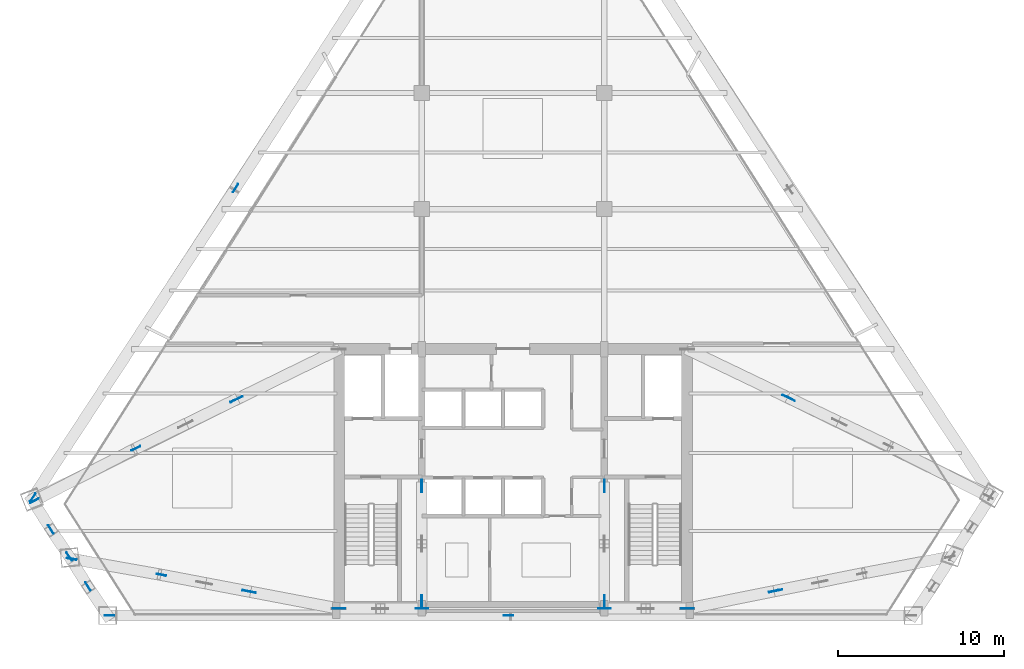
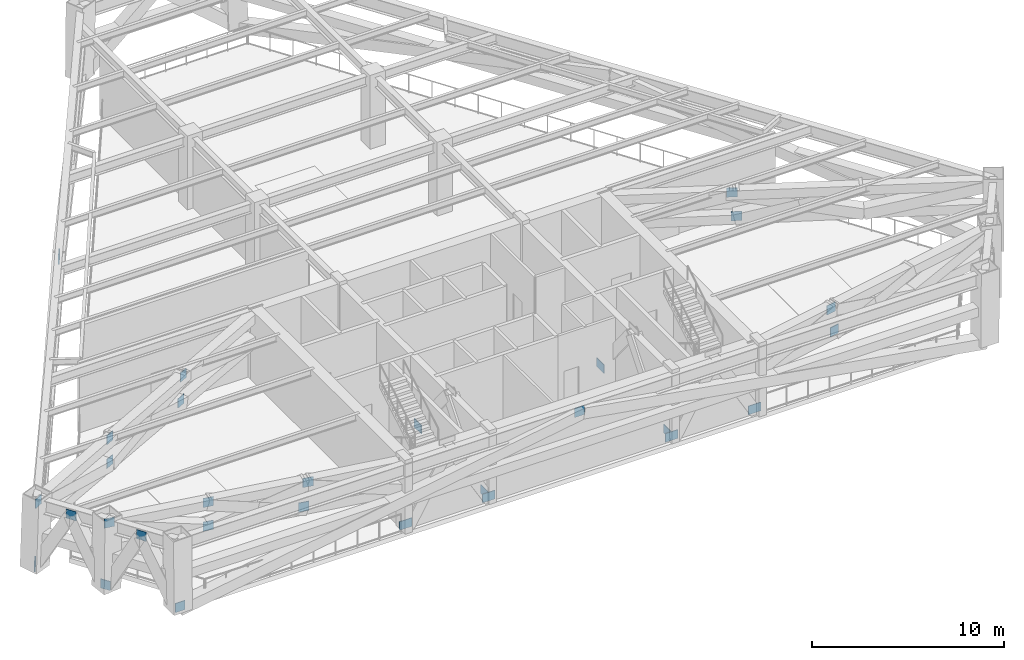
# One storey, part 4 of 9: 29 plates.
"""IFC4 building model written with IfcOpenShell, lengths in metres."""

from ifc_helpers import new_model, si_unit, direction, frame, origin, origin_2d, place, context, subcontext, project, spatial, rectangle, extrude, source, transform, mapped, material, layer, layer_set, type_object, type_shapes, element, save


model = new_model("IFC4")

# Units and contexts
model_context = context("Model", 3, precision=1e-05, world=origin(), true_north=direction((0.0, 1.0)))
body_context = subcontext(model_context, "Body", "Model", "MODEL_VIEW")
ifc_project = project(units=[si_unit("LENGTHUNIT", "METRE"), si_unit("AREAUNIT", "SQUARE_METRE"), si_unit("VOLUMEUNIT", "CUBIC_METRE"), si_unit("PLANEANGLEUNIT", "RADIAN"), si_unit("MASSUNIT", "GRAM", prefix="KILO")], contexts=[model_context])

# Site, building, storey
site_placement = place(None, origin())
site = spatial("IfcSite", under=ifc_project, at=site_placement, CompositionType="ELEMENT")
building_placement = place(site_placement, origin())
building = spatial("IfcBuilding", under=site, at=building_placement, Name="Varnakhor Terracotta Tower", CompositionType="ELEMENT")
storey_placement = place(building_placement, frame((0.0, 0.0, 166.300048828125)))
storey = spatial("IfcBuildingStorey", under=building, at=storey_placement, Name="L42", CompositionType="ELEMENT", Elevation=166.300048828125)

# Plates
ifc_material = material(Name="Steel S460", Category="steel")
ifc_layer_1 = layer(ifc_material, 0.050048828125, Name="Steel S460")
ifc_layer_set_1 = layer_set([ifc_layer_1], Name="Steel S460")
plate_type_1 = type_object("IfcPlateType", Name="PLT-GUSSET-50", PredefinedType="USERDEFINED", material=ifc_layer_set_1)
shared_shape_1 = source(origin(), body_context, "Body", "SweptSolid", [
    extrude(rectangle(XDim=0.75, YDim=0.0400390625, at=origin_2d()), origin(), (0.0, 0.0, 1.0), 0.550048828125),
])
type_shapes(plate_type_1, [shared_shape_1])
for number, where, z_axis, x_axis, name in (
    (1, (-10.5, 0.419921875, -0.09521484375), (0.0, 0.0, 1.0), (1.0, 0.0, 0.0), "L42 Core Brace Embed Plate CSWA"),
    (2, (-5.5, 0.419921875, -0.09521484375), (0.0, 0.0, 1.0), (1.0, 0.0, 0.0), "L42 Core Brace Embed Plate CSWB"),
    (3, (5.5, 0.419921875, -0.09521484375), (0.0, 0.0, 1.0), (1.0, 0.0, 0.0), "L42 Core Brace Embed Plate CSEA"),
    (4, (10.5, 0.419921875, -0.09521484375), (0.0, 0.0, 1.0), (1.0, 0.0, 0.0), "L42 Core Brace Embed Plate CSEB"),
    (5, (-5.5, 0.85009765625, -0.09521484375), (0.0, 0.0, 1.0), (0.0, 1.0, 0.0), "L42 Core Brace Embed Plate CWWA"),
    (6, (-5.5, 7.800048828125, -0.09521484375), (0.0, 0.0, 1.0), (0.0, 1.0, 0.0), "L42 Core Brace Embed Plate CWWB"),
    (7, (5.5, 0.85009765625, -0.09521484375), (0.0, 0.0, 1.0), (0.0, 1.0, 0.0), "L42 Core Brace Embed Plate CWEA"),
    (8, (5.5, 7.800048828125, -0.09521484375), (0.0, 0.0, 1.0), (0.0, 1.0, 0.0), "L42 Core Brace Embed Plate CWEB"),
):
    element("IfcPlate", number, at=place(storey_placement, frame(where, z_axis=z_axis, x_axis=x_axis)), inside=storey, type_object=plate_type_1, Name=name, ObjectType="GUSSET PLATE", PredefinedType="USERDEFINED", context=body_context, shape_type="MappedRepresentation", body=[
        mapped(shared_shape_1, transform((0.0, 0.0, 0.0), scale=1.0)),
    ])
ifc_layer_2 = layer(ifc_material, 0.044921875, Name="Steel S460")
ifc_layer_set_2 = layer_set([ifc_layer_2], Name="Steel S460")
plate_type_2 = type_object("IfcPlateType", Name="PLT-GUSSET-45", PredefinedType="USERDEFINED", material=ifc_layer_set_2)
shared_shape_2 = source(origin(), body_context, "Body", "SweptSolid", [
    extrude(rectangle(XDim=0.580078125, YDim=0.0400390625, at=origin_2d()), origin(), (0.0, 0.0, 1.0), 0.580078125),
])
for number, where, z_axis, x_axis, name in (
    (9, (-24.319091796875, 0.0, -0.2705078125), (0.0, 0.0, 1.0), (1.0, 0.0, 0.0), "L42 Brace End Connection Plate 136"),
    (10, (-0.283203125, 0.0, 3.732666015625), (0.0, 0.0, 1.0), (1.0, 0.0, 0.0), "L42 Brace End Connection Plate 137"),
    (11, (-16.727783203125, 25.759521484375, 3.73095703125), (0.0, 0.0, 1.0), (-0.541928251538, -0.840424755814, 0.0), "L42 Brace End Connection Plate 147"),
    (12, (-28.9423828125, 7.114990234375, -0.268798828125), (0.0, 0.0, 1.0), (0.548030475423, 0.836458365974, 0.0), "L42 Brace End Connection Plate 148"),
    (13, (-27.862548828125, 5.2001953125, 3.64697265625), (0.0, 0.0, 1.0), (0.533127323178, -0.846035021309, 0.0), "L42 Brace End Connection Plate 149"),
    (14, (-26.751708984375, 3.552001953125, -0.182373046875), (0.0, 0.0, 1.0), (-0.559641374094, 0.828734898748, 0.0), "L42 Brace End Connection Plate 150"),
    (15, (-25.625732421875, 1.76416015625, 3.64599609375), (0.0, 0.0, 1.0), (0.532255840969, -0.846583557456, 0.0), "L42 Brace End Connection Plate 151"),
    (16, (-15.7939453125, 1.427734375, 3.797119140625), (0.0, 0.0, 1.0), (-0.982359127575, 0.187004129554, 0.0), "L42 Brace End Connection Plate 152"),
    (17, (-21.201416015625, 2.457275390625, 2.292724609375), (0.0, 0.0, 1.0), (-0.982359127575, 0.187004129554, 0.0), "L42 Brace End Connection Plate 153"),
    (18, (-16.020751953125, 1.470947265625, 2.292724609375), (0.0, 0.0, 1.0), (-0.982359127575, 0.187004129554, 0.0), "L42 Brace End Connection Plate 154"),
    (19, (-21.201416015625, 2.457275390625, 3.797119140625), (0.0, 0.0, 1.0), (-0.982359127575, 0.187004129554, 0.0), "L42 Brace End Connection Plate 155"),
    (20, (-26.600341796875, 3.414306640625, 3.796875), (0.0, 0.0, 1.0), (-0.984698452258, 0.17426691631, 0.0), "L42 Brace End Connection Plate 156"),
    (21, (-16.56396484375, 13.090087890625, 3.80322265625), (0.0, 0.0, 1.0), (-0.89865628359, -0.438653489629, 0.0), "L42 Brace End Connection Plate 157"),
    (22, (-22.73291015625, 10.078857421875, 2.28662109375), (0.0, 0.0, 1.0), (-0.898648627506, -0.438669174073, 0.0), "L42 Brace End Connection Plate 158"),
    (23, (-16.774169921875, 12.987548828125, 2.28662109375), (0.0, 0.0, 1.0), (-0.898648627506, -0.438669174073, 0.0), "L42 Brace End Connection Plate 159"),
    (24, (-22.73291015625, 10.078857421875, 3.80322265625), (0.0, 0.0, 1.0), (-0.89865628359, -0.438653489629, 0.0), "L42 Brace End Connection Plate 160"),
    (25, (-28.845947265625, 6.92236328125, 3.80322265625), (0.0, 0.0, 1.0), (-0.888360935841, -0.459145780414, 0.0), "L42 Brace End Connection Plate 161"),
    (26, (15.712646484375, 1.4677734375, 3.796630859375), (0.0, 0.0, 1.0), (0.980395172885, 0.19704137886, 0.0), "L42 Brace End Connection Plate 162"),
    (27, (15.938720703125, 1.51318359375, 2.293212890625), (0.0, 0.0, 1.0), (0.980388294247, 0.197075600987, 0.0), "L42 Brace End Connection Plate 164"),
    (28, (16.507080078125, 13.17138671875, 3.802734375), (0.0, 0.0, 1.0), (0.901802358932, -0.432148707537, 0.0), "L42 Brace End Connection Plate 167"),
    (29, (16.718017578125, 13.0703125, 2.287109375), (0.0, 0.0, 1.0), (0.901802358932, -0.432148707537, 0.0), "L42 Brace End Connection Plate 169"),
):
    element("IfcPlate", number, at=place(storey_placement, frame(where, z_axis=z_axis, x_axis=x_axis)), inside=storey, type_object=plate_type_2, Name=name, ObjectType="GUSSET PLATE", PredefinedType="USERDEFINED", context=body_context, shape_type="MappedRepresentation", body=[
        mapped(shared_shape_2, transform((0.0, 0.0, 0.0), scale=1.0)),
    ])

save(model, "model.ifc")
